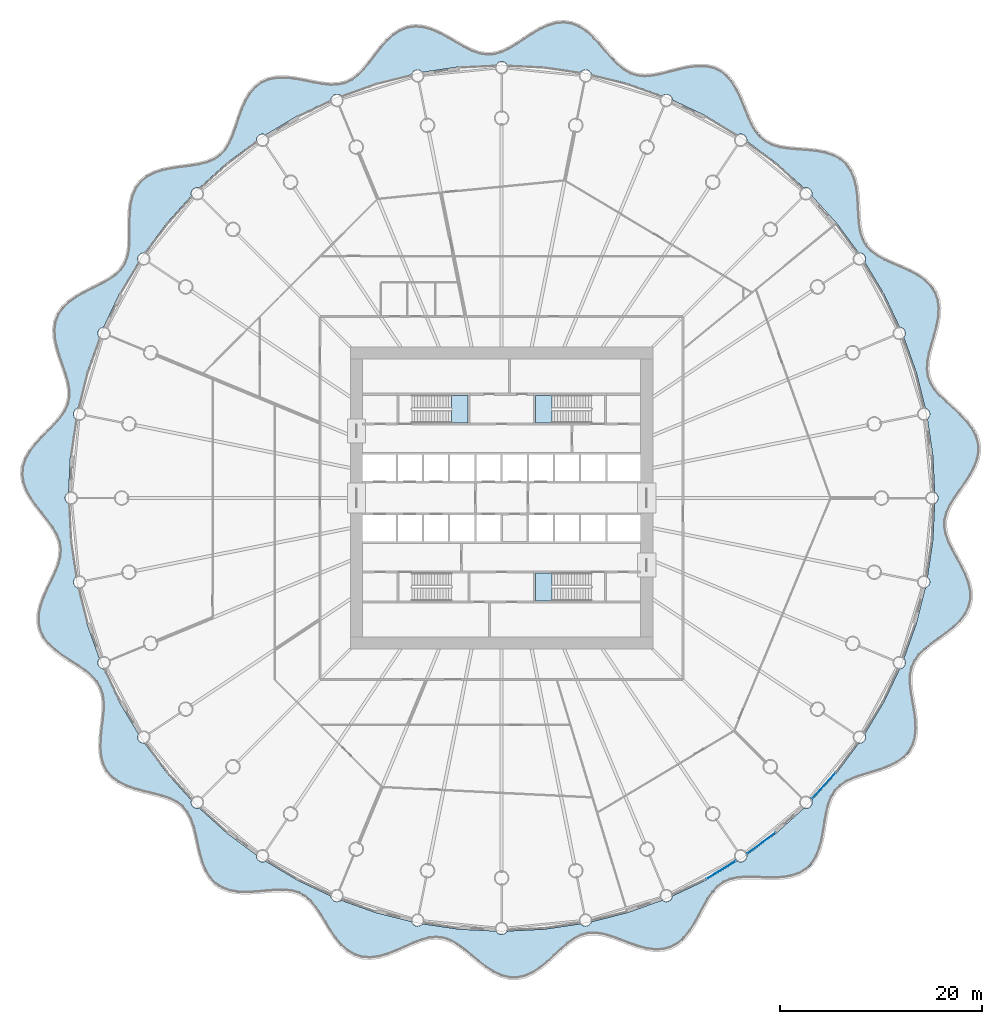
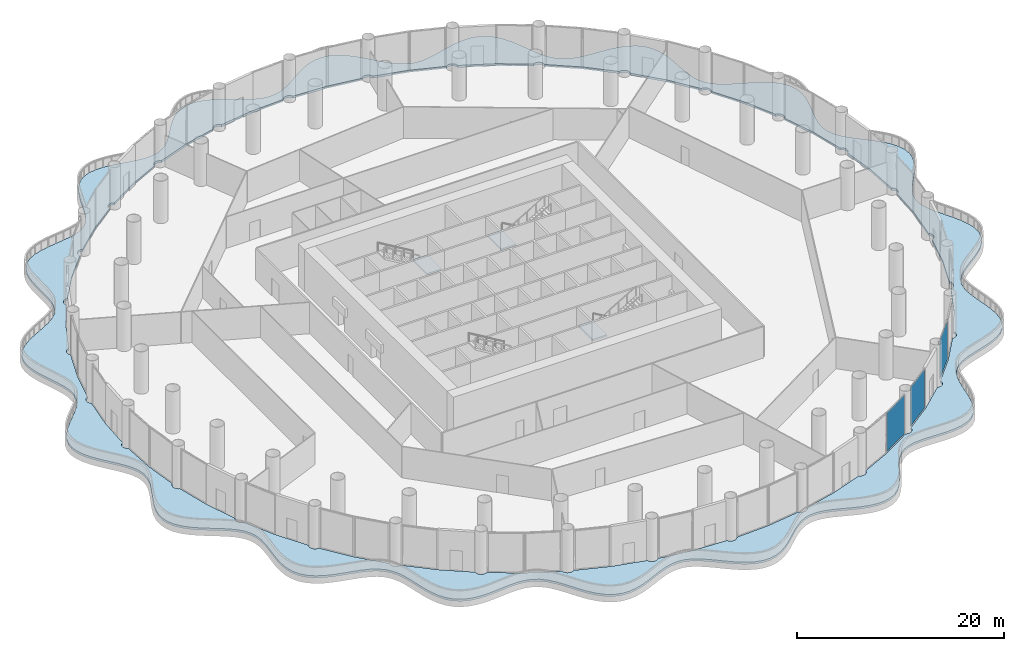
# One storey, part 20 of 35: 4 slabs, 3 plates, 6 elements without a shape of their own.
"""IFC4 building model written with IfcOpenShell, lengths in metres."""

import ifcopenshell
import ifcopenshell.guid

model = None  # the IFC model being written
_history = None  # IfcOwnerHistory: only IFC2X3 demands one
_inside = {}  # id of a spatial element -> (the spatial element, [elements in it])
_under = {}  # id of a project, library or spatial element -> (it, [spatial elements below it])
_declared = {}  # id of a project -> (the project, [libraries it declares])
_typed = {}  # id of a type object -> (the type object, [elements of that type])
_made_of = {}  # id of a material, layer set ... -> (it, [elements and type objects made of it])


def new_model(schema):
    """Start an empty IFC model of exactly this schema.

    Asked for "IFC4X3", IfcOpenShell would pick the latest addendum, in which some entities
    have other attributes; the version numbers below select the first issue.
    IFC2X3 requires an IfcOwnerHistory on every rooted entity: one is made here for all.
    """
    global model, _history
    if schema == "IFC4X3":
        model = ifcopenshell.file(schema_version=(4, 3, 0, 0))
    else:
        model = ifcopenshell.file(schema=schema)
    _inside.clear()
    _under.clear()
    _declared.clear()
    _typed.clear()
    _made_of.clear()
    _history = None
    if model.schema == "IFC2X3":
        org = make("IfcOrganization", Name="unknown")
        user = make(
            "IfcPersonAndOrganization",
            ThePerson=make("IfcPerson", FamilyName="unknown"),
            TheOrganization=org,
        )
        app = make(
            "IfcApplication",
            ApplicationDeveloper=org,
            Version="unknown",
            ApplicationFullName="unknown",
            ApplicationIdentifier="unknown",
        )
        _history = make(
            "IfcOwnerHistory",
            OwningUser=user,
            OwningApplication=app,
            ChangeAction="ADDED",
            CreationDate=0,
        )
    return model


def make(cls, **values):
    """One entity of the class cls with the attributes given. An attribute that is None is left unset."""
    return model.create_entity(
        cls, **{name: value for name, value in values.items() if value is not None}
    )


def rooted(cls, **values):
    """An entity with a GlobalId (a new one), such as an element, a storey or a relation."""
    return make(cls, GlobalId=ifcopenshell.guid.new(), OwnerHistory=_history, **values)


def si_unit(unit_type, name, prefix=None):
    """IfcSIUnit, for example si_unit("LENGTHUNIT", "METRE", prefix="MILLI")."""
    return make("IfcSIUnit", UnitType=unit_type, Prefix=prefix, Name=name)


def assignment(units):
    """IfcUnitAssignment: the units of a project."""
    return None if units is None else make("IfcUnitAssignment", Units=units)


def point(xyz):
    """IfcCartesianPoint."""
    return None if xyz is None else make("IfcCartesianPoint", Coordinates=xyz)


def direction(xyz):
    """IfcDirection."""
    return None if xyz is None else make("IfcDirection", DirectionRatios=xyz)


def frame(location, z_axis=None, x_axis=None):
    """IfcAxis2Placement3D, a coordinate frame: its origin and axes. An axis left out is left unset."""
    return make(
        "IfcAxis2Placement3D",
        Location=point(location),
        Axis=direction(z_axis),
        RefDirection=direction(x_axis),
    )


def frame_2d(location, x_axis=None):
    """IfcAxis2Placement2D, a coordinate frame in the plane: its origin and x axis."""
    return make(
        "IfcAxis2Placement2D", Location=point(location), RefDirection=direction(x_axis)
    )


def origin():
    """The frame at (0, 0, 0) with its axes left unset."""
    return frame((0.0, 0.0, 0.0))


def origin_2d():
    """The frame at (0, 0) in the plane with its x axis left unset."""
    return frame_2d((0.0, 0.0))


def place(relative_to, where):
    """IfcLocalPlacement: puts the frame where relative to a parent placement (None: the world)."""
    return make(
        "IfcLocalPlacement", PlacementRelTo=relative_to, RelativePlacement=where
    )


def context(
    kind, dimensions, precision=None, world=None, true_north=None, identifier=None
):
    """IfcGeometricRepresentationContext, for example the 3D "Model" context."""
    return make(
        "IfcGeometricRepresentationContext",
        ContextIdentifier=identifier,
        ContextType=kind,
        CoordinateSpaceDimension=dimensions,
        Precision=precision,
        WorldCoordinateSystem=world,
        TrueNorth=true_north,
    )


def subcontext(parent, identifier, kind, view, scale=None):
    """IfcGeometricRepresentationSubContext, for example "Body" below "Model"."""
    return make(
        "IfcGeometricRepresentationSubContext",
        ContextIdentifier=identifier,
        ContextType=kind,
        ParentContext=parent,
        TargetScale=scale,
        TargetView=view,
    )


def project(units=None, contexts=None):
    """IfcProject with its units and contexts."""
    return rooted(
        "IfcProject",
        Name="project",
        RepresentationContexts=contexts,
        UnitsInContext=assignment(units),
    )


def spatial(cls, under=None, at=None, **own):
    """A site, building, storey or space (cls), placed at a placement, below another one or the project."""
    s = rooted(cls, ObjectPlacement=at, **own)
    if under is not None:
        _under.setdefault(under.id(), (under, []))[1].append(s)
    return s


def polyline(points):
    """IfcPolyline through the points."""
    return make("IfcPolyline", Points=[point(p) for p in points])


def profile(cls, at=None, kind="AREA", **sizes):
    """A parametric profile (cls). Its sizes go by their IFC names, for example OverallWidth=200.0."""
    return make(cls, ProfileType=kind, Position=at, **sizes)


def rectangle(**sizes):
    """IfcRectangleProfileDef."""
    return profile("IfcRectangleProfileDef", **sizes)


def outline(outer, holes=None, kind="AREA"):
    """IfcArbitraryClosedProfileDef: a profile drawn as a closed curve; with holes, ...WithVoids."""
    if holes is None:
        return make("IfcArbitraryClosedProfileDef", ProfileType=kind, OuterCurve=outer)
    return make(
        "IfcArbitraryProfileDefWithVoids",
        ProfileType=kind,
        OuterCurve=outer,
        InnerCurves=holes,
    )


def extrude(swept, where, along, depth):
    """IfcExtrudedAreaSolid: the profile swept, set in the frame where, extruded along a direction by depth."""
    return make(
        "IfcExtrudedAreaSolid",
        SweptArea=swept,
        Position=where,
        ExtrudedDirection=direction(along),
        Depth=depth,
    )


def shape(context_of_items, identifier, shape_type, items):
    """IfcShapeRepresentation: the items that make up one representation, for example the "Body"."""
    return make(
        "IfcShapeRepresentation",
        ContextOfItems=context_of_items,
        RepresentationIdentifier=identifier,
        RepresentationType=shape_type,
        Items=items,
    )


def material(Name=None, Category=None):
    """IfcMaterial."""
    return make("IfcMaterial", Name=Name, Category=Category)


def layer(
    of_material, thickness, ventilated=None, Name=None, Category=None, Priority=None
):
    """IfcMaterialLayer: one layer of a wall or slab, of a material (None: an air gap)."""
    return make(
        "IfcMaterialLayer",
        Material=of_material,
        LayerThickness=thickness,
        IsVentilated=ventilated,
        Name=Name,
        Category=Category,
        Priority=Priority,
    )


def layer_set(layers, Name=None):
    """IfcMaterialLayerSet."""
    return make("IfcMaterialLayerSet", MaterialLayers=layers, LayerSetName=Name)


def made_of(thing, what):
    """Note that an element or type object is made of a material, layer set ...; save() writes the relation."""
    if what is not None:
        _made_of.setdefault(what.id(), (what, []))[1].append(thing)
    return thing


def type_object(cls, material=None, **own):
    """A type object (cls), such as IfcWallType, which elements share."""
    return made_of(rooted(cls, **own), material)


def element(
    cls,
    number,
    at=None,
    inside=None,
    cuts=None,
    type_object=None,
    material=None,
    context=None,
    identifier="Body",
    shape_type=None,
    held_by="IfcProductDefinitionShape",
    body=None,
    shapes=None,
    **own,
):
    """One element of the class cls, such as IfcWall. Its Tag is "e" and its number.

    at: its placement. inside: the storey or other place that contains it. cuts: it is an
    opening in that element (IfcRelVoidsElement). A single representation is given by context,
    identifier, shape_type and body (its items); several are given by shapes. held_by: the class
    of the entity that holds the representations. save() writes the other relations.
    """
    e = rooted(cls, Tag="e%d" % number, ObjectPlacement=at, **own)
    if body is not None:
        shapes = [shape(context, identifier, shape_type, body)]
    if shapes is not None:
        e.Representation = make(held_by, Representations=shapes)
    if inside is not None:
        _inside.setdefault(inside.id(), (inside, []))[1].append(e)
    if cuts is not None:
        rooted(
            "IfcRelVoidsElement", RelatingBuildingElement=cuts, RelatedOpeningElement=e
        )
    if type_object is not None:
        _typed.setdefault(type_object.id(), (type_object, []))[1].append(e)
    return made_of(e, material)


def aggregate(whole, parts):
    """IfcRelAggregates: a whole, such as a stair, and the parts it consists of."""
    return rooted("IfcRelAggregates", RelatingObject=whole, RelatedObjects=parts)


def save(model, path):
    """Write the relations noted so far, then the file.

    IfcRelAggregates (storeys below a building ...), IfcRelContainedInSpatialStructure (elements
    in a storey), IfcRelDefinesByType, IfcRelAssociatesMaterial and IfcRelDeclares: one each for
    every whole, place, type object, material and project.
    """
    for whole, parts in _under.values():
        aggregate(whole, parts)
    for where, things in _inside.values():
        rooted(
            "IfcRelContainedInSpatialStructure",
            RelatedElements=things,
            RelatingStructure=where,
        )
    for kind, things in _typed.values():
        rooted("IfcRelDefinesByType", RelatedObjects=things, RelatingType=kind)
    for what, things in _made_of.values():
        rooted("IfcRelAssociatesMaterial", RelatedObjects=things, RelatingMaterial=what)
    for by, libraries in _declared.values():
        rooted("IfcRelDeclares", RelatingContext=by, RelatedDefinitions=libraries)
    model.write(path)


model = new_model("IFC4")

# Units and contexts
model_context = context("Model", 3, precision=1e-05, world=origin(), true_north=direction((0.0, 1.0)))
body_context = subcontext(model_context, "Body", "Model", "MODEL_VIEW")
ifc_project = project(units=[si_unit("LENGTHUNIT", "METRE"), si_unit("AREAUNIT", "SQUARE_METRE"), si_unit("VOLUMEUNIT", "CUBIC_METRE"), si_unit("PLANEANGLEUNIT", "RADIAN"), si_unit("MASSUNIT", "GRAM", prefix="KILO")], contexts=[model_context])

# Site, building, storey
site_placement = place(None, origin())
site = spatial("IfcSite", under=ifc_project, at=site_placement, CompositionType="ELEMENT")
building_placement = place(site_placement, origin())
building = spatial("IfcBuilding", under=site, at=building_placement, Name="Corvane Civic Tower", CompositionType="ELEMENT")
storey_placement = place(building_placement, frame((0.0, 0.0, 27.0)))
storey = spatial("IfcBuildingStorey", under=building, at=storey_placement, Name="L05", CompositionType="ELEMENT", Elevation=27.0)

# Curtain wall, plate
ifc_material_1 = material(Name="Aluminium and glass", Category="aluminium")
curtain_wall_type = type_object("IfcCurtainWallType", Name="PODIUM-CW-P-RUN", PredefinedType="NOTDEFINED", material=ifc_material_1)
curtain_wall_1_placement = place(storey_placement, origin())
curtain_wall_1 = element("IfcCurtainWall", 1, at=curtain_wall_1_placement, inside=storey, type_object=curtain_wall_type, Name="PODI run L05-drum-12B", PredefinedType="NOTDEFINED")
ifc_material_2 = material(Name="Glass tinted low-e laminated", Category="glass")
ifc_layer_1 = layer(ifc_material_2, 0.031982421875)
ifc_layer_set_1 = layer_set([ifc_layer_1], Name="Glass tinted low-e laminated")
plate_type = type_object("IfcPlateType", Name="PODIUM-CWP-PANEL-IGU32", PredefinedType="CURTAIN_PANEL", material=ifc_layer_set_1)
plate_1_placement = place(storey_placement, frame((31.957275390625, -28.5595703125, 0.06005859375), z_axis=(0.0, 0.0, 1.0), x_axis=(-0.671576457952, -0.740935261089, 0.0)))
plate_1 = element("IfcPlate", 2, at=plate_1_placement, type_object=plate_type, Name="CW-P panel 1.1", PredefinedType="CURTAIN_PANEL", context=body_context, shape_type="SweptSolid", body=[
    extrude(rectangle(XDim=3.4599609375, YDim=0.031982421875, at=origin_2d()), origin(), (0.0, 0.0, 1.0), 4.580078125),
])
aggregate(curtain_wall_1, [plate_1])

curtain_wall_2_placement = place(storey_placement, origin())
curtain_wall_2 = element("IfcCurtainWall", 3, at=curtain_wall_2_placement, inside=storey, type_object=curtain_wall_type, Name="PODI run L05-drum-13B", PredefinedType="NOTDEFINED")
plate_2_placement = place(storey_placement, frame((25.771484375, -34.245361328125, 0.06005859375), z_axis=(0.0, 0.0, 1.0), x_axis=(-0.803203229747, -0.595705104665, 0.0)))
plate_2 = element("IfcPlate", 4, at=plate_2_placement, type_object=plate_type, Name="CW-P panel 1.1", PredefinedType="CURTAIN_PANEL", context=body_context, shape_type="SweptSolid", body=[
    extrude(rectangle(XDim=3.459716796875, YDim=0.031982421875, at=origin_2d()), origin(), (0.0, 0.0, 1.0), 4.580078125),
])
aggregate(curtain_wall_2, [plate_2])

curtain_wall_3_placement = place(storey_placement, origin())
curtain_wall_3 = element("IfcCurtainWall", 5, at=curtain_wall_3_placement, inside=storey, type_object=curtain_wall_type, Name="PODI run L05-drum-14A", PredefinedType="NOTDEFINED")
plate_3_placement = place(storey_placement, frame((21.776123046875, -36.914794921875, 0.06005859375), z_axis=(0.0, 0.0, 1.0), x_axis=(-0.857719609779, -0.514117759857, 0.0)))
plate_3 = element("IfcPlate", 6, at=plate_3_placement, type_object=plate_type, Name="CW-P panel 1.1", PredefinedType="CURTAIN_PANEL", context=body_context, shape_type="SweptSolid", body=[
    extrude(rectangle(XDim=3.459716796875, YDim=0.031982421875, at=origin_2d()), origin(), (0.0, 0.0, 1.0), 4.580078125),
])
aggregate(curtain_wall_3, [plate_3])

# Slab
ifc_material_3 = material(Name="Concrete C40/50", Category="concrete")
ifc_layer_2 = layer(ifc_material_3, 0.25)
ifc_layer_set_2 = layer_set([ifc_layer_2], Name="Concrete C40/50")
slab_type_1 = type_object("IfcSlabType", Name="PODIUM-SL-RIBBON-250", PredefinedType="FLOOR", material=ifc_layer_set_2)
slab_1_placement = place(storey_placement, frame((0.0, 0.0, -0.25)))
element("IfcSlab", 7, at=slab_1_placement, inside=storey, type_object=slab_type_1, Name="L05 ribbon balcony slab", PredefinedType="FLOOR", context=body_context, shape_type="SweptSolid", body=[
    extrude(outline(polyline([(0.731201171875, 44.685302734375), (0.0, 44.341064453125), (-0.72216796875, 44.134765625), (-1.443115234375, 44.0849609375), (-2.171142578125, 44.1953125), (-2.91357421875, 44.451416015625), (-3.67529296875, 44.82421875), (-4.458984375, 45.272216796875), (-5.2626953125, 45.745361328125), (-6.0810546875, 46.190185546875), (-6.90576171875, 46.55517578125), (-7.725830078125, 46.795166015625), (-8.529541015625, 46.87646484375), (-9.30517578125, 46.77978515625), (-10.04345703125, 46.501708984375), (-10.73876953125, 46.055908203125), (-11.389892578125, 45.470703125), (-12.00048828125, 44.785888671875), (-12.579345703125, 44.05078125), (-13.139892578125, 43.31689453125), (-13.69873046875, 42.63427734375), (-14.27294921875, 42.046875), (-14.880126953125, 41.587158203125), (-15.53466796875, 41.2744140625), (-16.24609375, 41.111572265625), (-17.018798828125, 41.086669921875), (-17.84912109375, 41.173095703125), (-18.7275390625, 41.332763671875), (-19.637451171875, 41.519775390625), (-20.556884765625, 41.685302734375), (-21.4619140625, 41.782470703125), (-22.326904296875, 41.7705078125), (-23.12890625, 41.61865234375), (-23.85009765625, 41.309326171875), (-24.478271484375, 40.839599609375), (-25.010986328125, 40.220947265625), (-25.453857421875, 39.477783203125), (-25.822021484375, 38.6455078125), (-26.138427734375, 37.766357421875), (-26.431396484375, 36.885009765625), (-26.732421875, 36.04443359375), (-27.07275390625, 35.281982421875), (-27.480712890625, 34.625244140625), (-27.977294921875, 34.090576171875), (-28.575439453125, 33.68017578125), (-29.277099609375, 33.38427734375), (-30.072998046875, 33.180419921875), (-30.943359375, 33.0380859375), (-31.859375, 32.91943359375), (-32.78564453125, 32.78564453125), (-33.683837890625, 32.59912109375), (-34.516357421875, 32.328125), (-35.25, 31.94873046875), (-35.85986328125, 31.4482421875), (-36.331298828125, 30.824951171875), (-36.662841796875, 30.08837890625), (-36.864990234375, 29.258056640625), (-36.96142578125, 28.361572265625), (-36.9853515625, 27.43017578125), (-36.9775390625, 26.49755859375), (-36.981201171875, 25.594970703125), (-37.039306640625, 24.748779296875), (-37.1884765625, 23.977783203125), (-37.457275390625, 23.29248046875), (-37.860595703125, 22.69287109375), (-38.400634765625, 22.170654296875), (-39.064208984375, 21.709228515625), (-39.824951171875, 21.286865234375), (-40.645751953125, 20.8779296875), (-41.4814453125, 20.456298828125), (-42.283447265625, 19.99853515625), (-43.00537109375, 19.4853515625), (-43.60595703125, 18.90380859375), (-44.054931640625, 18.248046875), (-44.334716796875, 17.519775390625), (-44.44384765625, 16.7275390625), (-44.3955078125, 15.885009765625), (-44.218017578125, 15.010009765625), (-43.951171875, 14.121826171875), (-43.64306640625, 13.239013671875), (-43.344970703125, 12.377685546875), (-43.106689453125, 11.55029296875), (-42.97119140625, 10.763671875), (-42.971435546875, 10.01953125), (-43.125, 9.314208984375), (-43.434814453125, 8.6396484375), (-43.885986328125, 7.9853515625), (-44.44970703125, 7.338623046875), (-45.08447265625, 6.687744140625), (-45.740234375, 6.021728515625), (-46.36376953125, 5.333740234375), (-46.903564453125, 4.61962890625), (-47.314697265625, 3.879638671875), (-47.5634765625, 3.117431640625), (-47.630859375, 2.33984375), (-47.51416015625, 1.555419921875), (-47.227294921875, 0.772705078125), (-46.800048828125, 0.0), (-46.27392578125, -0.75732421875), (-45.698974609375, -1.49609375), (-45.129638671875, -2.217041015625), (-44.617431640625, -2.92431640625), (-44.207763671875, -3.624755859375), (-43.934326171875, -4.3271484375), (-43.817138671875, -5.040771484375), (-43.858642578125, -5.774169921875), (-44.04541015625, -6.533447265625), (-44.34912109375, -7.322021484375), (-44.728271484375, -8.138671875), (-45.133544921875, -8.9775390625), (-45.51220703125, -9.82958984375), (-45.81298828125, -10.68212890625), (-45.991943359375, -11.520263671875), (-46.015380859375, -12.329833984375), (-45.864501953125, -13.09716796875), (-45.53564453125, -13.81298828125), (-45.0419921875, -14.47216796875), (-44.4111328125, -15.075439453125), (-43.68212890625, -15.629638671875), (-42.903076171875, -16.1474609375), (-42.123779296875, -16.646240234375), (-41.393798828125, -17.145751953125), (-40.755126953125, -17.66796875), (-40.23974609375, -18.232421875), (-39.8662109375, -18.855224609375), (-39.6376953125, -19.547119140625), (-39.542724609375, -20.311279296875), (-39.555419921875, -21.142822265625), (-39.639404296875, -22.029052734375), (-39.75048828125, -22.949951171875), (-39.842041015625, -23.88037109375), (-39.86865234375, -24.7919921875), (-39.791748046875, -25.65625), (-39.581787109375, -26.447509765625), (-39.221923828125, -27.14599609375), (-38.709716796875, -27.739013671875), (-38.05615234375, -28.224365234375), (-37.2841796875, -28.609130859375), (-36.427734375, -28.9111328125), (-35.526611328125, -29.156005859375), (-34.623046875, -29.37548828125), (-33.757568359375, -29.6044921875), (-32.965087890625, -29.877685546875), (-32.271240234375, -30.225341796875), (-31.69091796875, -30.67041015625), (-31.226806640625, -31.226806640625), (-30.86865234375, -31.895751953125), (-30.59619140625, -32.667236328125), (-30.38037109375, -33.51953125), (-30.186279296875, -34.4208984375), (-29.978271484375, -35.33349609375), (-29.7216796875, -36.216064453125), (-29.387451171875, -37.028076171875), (-28.95458984375, -37.734130859375), (-28.411376953125, -38.30810546875), (-27.7568359375, -38.734619140625), (-27.000244140625, -39.01171875), (-26.16015625, -39.1513671875), (-25.2607421875, -39.17822265625), (-24.33154296875, -39.128173828125), (-23.40185546875, -39.043701171875), (-22.5, -38.97119140625), (-21.648681640625, -38.955078125), (-20.8642578125, -39.0341796875), (-20.15478515625, -39.238037109375), (-19.520263671875, -39.5830078125), (-18.9521484375, -40.07080078125), (-18.435546875, -40.687744140625), (-17.950439453125, -41.406982421875), (-17.475341796875, -42.18896484375), (-16.9873046875, -42.987548828125), (-16.46728515625, -43.752197265625), (-15.89892578125, -44.434814453125), (-15.27294921875, -44.99267578125), (-14.585693359375, -45.394775390625), (-13.839599609375, -45.623046875), (-13.043212890625, -45.67529296875), (-12.209228515625, -45.5654296875), (-11.3525390625, -45.322265625), (-10.489501953125, -44.986572265625), (-9.63427734375, -44.607421875), (-8.79931640625, -44.2373046875), (-7.99267578125, -43.927001953125), (-7.21826171875, -43.720703125), (-6.47509765625, -43.6513671875), (-5.75830078125, -43.738037109375), (-5.059814453125, -43.982666015625), (-4.3701171875, -44.37158203125), (-3.679443359375, -44.875), (-2.97900390625, -45.451416015625), (-2.26220703125, -46.05029296875), (-1.526123046875, -46.617919921875), (-0.770751953125, -47.1025390625), (0.0, -47.458740234375), (0.77978515625, -47.653076171875), (1.560302734375, -47.665771484375), (2.333251953125, -47.494140625), (3.090576171875, -47.152099609375), (3.82666015625, -46.668701171875), (4.5390625, -46.085693359375), (5.22900390625, -45.453125), (5.901123046875, -44.824462890625), (6.56396484375, -44.251220703125), (7.22802734375, -43.77880859375), (7.904296875, -43.440673828125), (8.604248046875, -43.25634765625), (9.336669921875, -43.229248046875), (10.10693359375, -43.345947265625), (10.915771484375, -43.578369140625), (11.75927734375, -43.885986328125), (12.6279296875, -44.220703125), (13.508056640625, -44.5302734375), (14.38330078125, -44.76513671875), (15.235107421875, -44.88134765625), (16.04638671875, -44.846435546875), (16.802001953125, -44.641845703125), (17.491943359375, -44.263916015625), (18.111572265625, -43.725341796875), (18.6640625, -43.052978515625), (19.158935546875, -42.28466796875), (19.6123046875, -41.466552734375), (20.045166015625, -40.6474609375), (20.48193359375, -39.875), (20.947509765625, -39.18994140625), (21.464111328125, -38.622802734375), (22.050048828125, -38.191650390625), (22.71630859375, -37.89990234375), (23.465576171875, -37.73583984375), (24.291748046875, -37.67529296875), (25.17919921875, -37.683349609375), (26.10498046875, -37.7177734375), (27.0400390625, -37.734375), (27.952880859375, -37.68994140625), (28.8115234375, -37.5478515625), (29.587890625, -37.2802734375), (30.260009765625, -36.871826171875), (30.81494140625, -36.31982421875), (31.250732421875, -35.634765625), (31.575927734375, -34.8388671875), (31.810302734375, -33.963623046875), (31.982177734375, -33.04638671875), (32.126708984375, -32.126708984375), (32.281982421875, -31.242431640625), (32.485107421875, -30.42578125), (32.769287109375, -29.700439453125), (33.158935546875, -29.07958984375), (33.668701171875, -28.565673828125), (34.299560546875, -28.14892578125), (35.040771484375, -27.810302734375), (35.868408203125, -27.522705078125), (36.7490234375, -27.2548828125), (37.641845703125, -26.973876953125), (38.5029296875, -26.6484375), (39.289794921875, -26.25244140625), (39.964599609375, -25.767822265625), (40.49951171875, -25.184326171875), (40.87890625, -24.501953125), (41.1005859375, -23.7294921875), (41.17724609375, -22.8837890625), (41.13525390625, -21.9873046875), (41.01171875, -21.06591796875), (40.8515625, -20.145751953125), (40.70263671875, -19.2509765625), (40.612060546875, -18.401123046875), (40.6201171875, -17.609375), (40.75732421875, -16.88232421875), (41.040771484375, -16.218017578125), (41.472412109375, -15.609130859375), (42.038330078125, -15.04150390625), (42.710205078125, -14.498046875), (43.4482421875, -13.960205078125), (44.2041015625, -13.4091796875), (44.926513671875, -12.829345703125), (45.5654296875, -12.209228515625), (46.07763671875, -11.541748046875), (46.430419921875, -10.826171875), (46.60595703125, -10.06591796875), (46.601318359375, -9.26953125), (46.43115234375, -8.448486328125), (46.1240234375, -7.615234375), (45.721923828125, -6.7822265625), (45.2744140625, -5.96044921875), (44.834716796875, -5.15771484375), (44.454345703125, -4.37841796875), (44.178466796875, -3.622314453125), (44.0400390625, -2.886474609375), (44.05859375, -2.16455078125), (44.23681640625, -1.4482421875), (44.560302734375, -0.729248046875), (45.0, 0.0), (45.513916015625, 0.744873046875), (46.0517578125, 1.507568359375), (46.559814453125, 2.287353515625), (46.986083984375, 3.07958984375), (47.28515625, 3.877197265625), (47.423583984375, 4.6708984375), (47.381591796875, 5.45068359375), (47.156005859375, 6.208251953125), (46.760986328125, 6.936279296875), (46.224853515625, 7.6318359375), (45.5888671875, 8.295166015625), (44.902587890625, 8.931640625), (44.218994140625, 9.55029296875), (43.5888671875, 10.16357421875), (43.056884765625, 10.78515625), (42.656494140625, 11.4296875), (42.406982421875, 12.10986328125), (42.3115234375, 12.8349609375), (42.357421875, 13.609619140625), (42.51708984375, 14.4326171875), (42.75146484375, 15.296630859375), (43.01318359375, 16.18896484375), (43.251708984375, 17.091796875), (43.41845703125, 17.984619140625), (43.470947265625, 18.845458984375), (43.377685546875, 19.654052734375), (43.1201171875, 20.394287109375), (42.695068359375, 21.054931640625), (42.11474609375, 21.632568359375), (41.40478515625, 22.13134765625), (40.60205078125, 22.56396484375), (39.75048828125, 22.949951171875), (38.8974609375, 23.314208984375), (38.088134765625, 23.6845703125), (37.361572265625, 24.08935546875), (36.747314453125, 24.5537109375), (36.26220703125, 25.097412109375), (35.909423828125, 25.732421875), (35.678466796875, 26.4609375), (35.545654296875, 27.275146484375), (35.477783203125, 28.1572265625), (35.435546875, 29.081298828125), (35.376953125, 30.01513671875), (35.26123046875, 30.92333984375), (35.054443359375, 31.771484375), (34.730224609375, 32.528564453125), (34.27490234375, 33.171142578125), (33.685546875, 33.685546875), (32.972900390625, 34.070068359375), (32.157470703125, 34.334228515625), (31.268798828125, 34.499755859375), (30.341552734375, 34.597900390625), (29.412353515625, 34.66650390625), (28.515625, 34.746337890625), (27.680908203125, 34.877685546875), (26.9296875, 35.095703125), (26.27392578125, 35.42626953125), (25.714599609375, 35.884765625), (25.2431640625, 36.47265625), (24.84130859375, 37.177734375), (24.48486328125, 37.974853515625), (24.145263671875, 38.82861328125), (23.792724609375, 39.69580078125), (23.39990234375, 40.530029296875), (22.9443359375, 41.28662109375), (22.409912109375, 41.926025390625), (21.788818359375, 42.41943359375), (21.081787109375, 42.749755859375), (20.29736328125, 42.91552734375), (19.451171875, 42.929443359375), (18.562744140625, 42.819091796875), (17.655029296875, 42.623046875), (16.75048828125, 42.38818359375), (15.869384765625, 42.1640625), (15.027587890625, 41.9990234375), (14.235107421875, 41.935302734375), (13.496337890625, 42.00439453125), (12.80859375, 42.22412109375), (12.1640625, 42.59619140625), (11.55029296875, 43.106689453125), (10.952880859375, 43.7265625), (10.356201171875, 44.415283203125), (9.745849609375, 45.123779296875), (9.10986328125, 45.798828125), (8.44091796875, 46.39013671875), (7.735595703125, 46.853271484375), (6.994873046875, 47.155029296875), (6.22412109375, 47.276611328125), (5.431640625, 47.2158203125), (4.627685546875, 46.986328125), (3.822509765625, 46.617919921875), (3.02490234375, 46.152099609375), (2.2421875, 45.63916015625), (1.4775390625, 45.133056640625), (0.731201171875, 44.685302734375)]), holes=[polyline([(0.31005859375, -43.23681640625), (0.160400390625, -43.298828125), (0.0, -43.320068359375), (-0.160400390625, -43.298828125), (-0.31005859375, -43.23681640625), (-0.4384765625, -43.138427734375), (-0.536865234375, -43.010009765625), (-0.55224609375, -42.972900390625), (-4.21484375, -42.79296875), (-7.84326171875, -42.2548828125), (-7.891845703125, -42.318115234375), (-8.020263671875, -42.41650390625), (-8.169921875, -42.478515625), (-8.330322265625, -42.49951171875), (-8.49072265625, -42.478515625), (-8.640380859375, -42.41650390625), (-8.768798828125, -42.318115234375), (-8.8671875, -42.189697265625), (-8.92919921875, -42.0400390625), (-8.929443359375, -42.038330078125), (-12.482177734375, -41.1484375), (-15.934814453125, -39.9130859375), (-16.030517578125, -39.986572265625), (-16.18017578125, -40.048583984375), (-16.340576171875, -40.069580078125), (-16.5009765625, -40.048583984375), (-16.650634765625, -39.986572265625), (-16.779052734375, -39.88818359375), (-16.87744140625, -39.759765625), (-16.939453125, -39.610107421875), (-16.955078125, -39.490478515625), (-20.27001953125, -37.922607421875), (-23.41162109375, -36.03955078125), (-23.412841796875, -36.04052734375), (-23.5625, -36.1025390625), (-23.722900390625, -36.123779296875), (-23.88330078125, -36.1025390625), (-24.032958984375, -36.04052734375), (-24.161376953125, -35.942138671875), (-24.259765625, -35.813720703125), (-24.32177734375, -35.6640625), (-24.343017578125, -35.503662109375), (-24.33251953125, -35.424560546875), (-27.27880859375, -33.239501953125), (-29.995849609375, -30.77685546875), (-30.032958984375, -30.792236328125), (-30.193359375, -30.8134765625), (-30.353759765625, -30.792236328125), (-30.50341796875, -30.730224609375), (-30.6318359375, -30.6318359375), (-30.730224609375, -30.50341796875), (-30.792236328125, -30.353759765625), (-30.8134765625, -30.193359375), (-30.792236328125, -30.032958984375), (-30.77685546875, -29.995849609375), (-33.239501953125, -27.27880859375), (-35.424560546875, -24.33251953125), (-35.503662109375, -24.343017578125), (-35.6640625, -24.32177734375), (-35.813720703125, -24.259765625), (-35.942138671875, -24.161376953125), (-36.04052734375, -24.032958984375), (-36.1025390625, -23.88330078125), (-36.123779296875, -23.722900390625), (-36.1025390625, -23.5625), (-36.04052734375, -23.412841796875), (-36.03955078125, -23.41162109375), (-37.922607421875, -20.27001953125), (-39.490478515625, -16.955078125), (-39.610107421875, -16.939453125), (-39.759765625, -16.87744140625), (-39.88818359375, -16.779052734375), (-39.986572265625, -16.650634765625), (-40.048583984375, -16.5009765625), (-40.069580078125, -16.340576171875), (-40.048583984375, -16.18017578125), (-39.986572265625, -16.030517578125), (-39.9130859375, -15.934814453125), (-41.1484375, -12.482177734375), (-42.038330078125, -8.929443359375), (-42.0400390625, -8.92919921875), (-42.189697265625, -8.8671875), (-42.318115234375, -8.768798828125), (-42.41650390625, -8.640380859375), (-42.478515625, -8.49072265625), (-42.49951171875, -8.330322265625), (-42.478515625, -8.169921875), (-42.41650390625, -8.020263671875), (-42.318115234375, -7.891845703125), (-42.2548828125, -7.84326171875), (-42.79296875, -4.21484375), (-42.972900390625, -0.55224609375), (-43.010009765625, -0.536865234375), (-43.138427734375, -0.4384765625), (-43.23681640625, -0.31005859375), (-43.298828125, -0.160400390625), (-43.320068359375, 0.0), (-43.298828125, 0.160400390625), (-43.23681640625, 0.31005859375), (-43.138427734375, 0.4384765625), (-43.010009765625, 0.536865234375), (-42.972900390625, 0.55224609375), (-42.79296875, 4.21484375), (-42.2548828125, 7.84326171875), (-42.318115234375, 7.891845703125), (-42.41650390625, 8.020263671875), (-42.478515625, 8.169921875), (-42.49951171875, 8.330322265625), (-42.478515625, 8.49072265625), (-42.41650390625, 8.640380859375), (-42.318115234375, 8.768798828125), (-42.189697265625, 8.8671875), (-42.0400390625, 8.92919921875), (-42.038330078125, 8.929443359375), (-41.1484375, 12.482177734375), (-39.9130859375, 15.934814453125), (-39.986572265625, 16.030517578125), (-40.048583984375, 16.18017578125), (-40.069580078125, 16.340576171875), (-40.048583984375, 16.5009765625), (-39.986572265625, 16.650634765625), (-39.88818359375, 16.779052734375), (-39.759765625, 16.87744140625), (-39.610107421875, 16.939453125), (-39.490478515625, 16.955078125), (-37.922607421875, 20.27001953125), (-36.03955078125, 23.41162109375), (-36.04052734375, 23.412841796875), (-36.1025390625, 23.5625), (-36.123779296875, 23.722900390625), (-36.1025390625, 23.88330078125), (-36.04052734375, 24.032958984375), (-35.942138671875, 24.161376953125), (-35.813720703125, 24.259765625), (-35.6640625, 24.32177734375), (-35.503662109375, 24.343017578125), (-35.424560546875, 24.33251953125), (-33.239501953125, 27.27880859375), (-30.77685546875, 29.995849609375), (-30.792236328125, 30.032958984375), (-30.8134765625, 30.193359375), (-30.792236328125, 30.353759765625), (-30.730224609375, 30.50341796875), (-30.6318359375, 30.6318359375), (-30.50341796875, 30.730224609375), (-30.353759765625, 30.792236328125), (-30.193359375, 30.8134765625), (-30.032958984375, 30.792236328125), (-29.995849609375, 30.77685546875), (-27.27880859375, 33.239501953125), (-24.33251953125, 35.424560546875), (-24.343017578125, 35.503662109375), (-24.32177734375, 35.6640625), (-24.259765625, 35.813720703125), (-24.161376953125, 35.942138671875), (-24.032958984375, 36.04052734375), (-23.88330078125, 36.1025390625), (-23.722900390625, 36.123779296875), (-23.5625, 36.1025390625), (-23.412841796875, 36.04052734375), (-23.41162109375, 36.03955078125), (-20.27001953125, 37.922607421875), (-16.955078125, 39.490478515625), (-16.939453125, 39.610107421875), (-16.87744140625, 39.759765625), (-16.779052734375, 39.88818359375), (-16.650634765625, 39.986572265625), (-16.5009765625, 40.048583984375), (-16.340576171875, 40.069580078125), (-16.18017578125, 40.048583984375), (-16.030517578125, 39.986572265625), (-15.934814453125, 39.9130859375), (-12.482177734375, 41.1484375), (-8.929443359375, 42.038330078125), (-8.92919921875, 42.0400390625), (-8.8671875, 42.189697265625), (-8.768798828125, 42.318115234375), (-8.640380859375, 42.41650390625), (-8.49072265625, 42.478515625), (-8.330322265625, 42.49951171875), (-8.169921875, 42.478515625), (-8.020263671875, 42.41650390625), (-7.891845703125, 42.318115234375), (-7.84326171875, 42.2548828125), (-4.21484375, 42.79296875), (-0.55224609375, 42.972900390625), (-0.536865234375, 43.010009765625), (-0.4384765625, 43.138427734375), (-0.31005859375, 43.23681640625), (-0.160400390625, 43.298828125), (0.0, 43.320068359375), (0.160400390625, 43.298828125), (0.31005859375, 43.23681640625), (0.4384765625, 43.138427734375), (0.536865234375, 43.010009765625), (0.55224609375, 42.972900390625), (4.21484375, 42.79296875), (7.84326171875, 42.2548828125), (7.891845703125, 42.318115234375), (8.020263671875, 42.41650390625), (8.169921875, 42.478515625), (8.330322265625, 42.49951171875), (8.49072265625, 42.478515625), (8.640380859375, 42.41650390625), (8.768798828125, 42.318115234375), (8.8671875, 42.189697265625), (8.92919921875, 42.0400390625), (8.929443359375, 42.038330078125), (12.482177734375, 41.1484375), (15.934814453125, 39.9130859375), (16.030517578125, 39.986572265625), (16.18017578125, 40.048583984375), (16.340576171875, 40.069580078125), (16.5009765625, 40.048583984375), (16.650634765625, 39.986572265625), (16.779052734375, 39.88818359375), (16.87744140625, 39.759765625), (16.939453125, 39.610107421875), (16.955078125, 39.490478515625), (20.27001953125, 37.922607421875), (23.41162109375, 36.03955078125), (23.412841796875, 36.04052734375), (23.5625, 36.1025390625), (23.722900390625, 36.123779296875), (23.88330078125, 36.1025390625), (24.032958984375, 36.04052734375), (24.161376953125, 35.942138671875), (24.259765625, 35.813720703125), (24.32177734375, 35.6640625), (24.343017578125, 35.503662109375), (24.33251953125, 35.424560546875), (27.27880859375, 33.239501953125), (29.995849609375, 30.77685546875), (30.032958984375, 30.792236328125), (30.193359375, 30.8134765625), (30.353759765625, 30.792236328125), (30.50341796875, 30.730224609375), (30.6318359375, 30.6318359375), (30.730224609375, 30.50341796875), (30.792236328125, 30.353759765625), (30.8134765625, 30.193359375), (30.792236328125, 30.032958984375), (30.77685546875, 29.995849609375), (33.239501953125, 27.27880859375), (35.424560546875, 24.33251953125), (35.503662109375, 24.343017578125), (35.6640625, 24.32177734375), (35.813720703125, 24.259765625), (35.942138671875, 24.161376953125), (36.04052734375, 24.032958984375), (36.1025390625, 23.88330078125), (36.123779296875, 23.722900390625), (36.1025390625, 23.5625), (36.04052734375, 23.412841796875), (36.03955078125, 23.41162109375), (37.922607421875, 20.27001953125), (39.490478515625, 16.955078125), (39.610107421875, 16.939453125), (39.759765625, 16.87744140625), (39.88818359375, 16.779052734375), (39.986572265625, 16.650634765625), (40.048583984375, 16.5009765625), (40.069580078125, 16.340576171875), (40.048583984375, 16.18017578125), (39.986572265625, 16.030517578125), (39.9130859375, 15.934814453125), (41.1484375, 12.482177734375), (42.038330078125, 8.929443359375), (42.0400390625, 8.92919921875), (42.189697265625, 8.8671875), (42.318115234375, 8.768798828125), (42.41650390625, 8.640380859375), (42.478515625, 8.49072265625), (42.49951171875, 8.330322265625), (42.478515625, 8.169921875), (42.41650390625, 8.020263671875), (42.318115234375, 7.891845703125), (42.2548828125, 7.84326171875), (42.79296875, 4.21484375), (42.972900390625, 0.55224609375), (43.010009765625, 0.536865234375), (43.138427734375, 0.4384765625), (43.23681640625, 0.31005859375), (43.298828125, 0.160400390625), (43.320068359375, 0.0), (43.298828125, -0.160400390625), (43.23681640625, -0.31005859375), (43.138427734375, -0.4384765625), (43.010009765625, -0.536865234375), (42.972900390625, -0.55224609375), (42.79296875, -4.21484375), (42.2548828125, -7.84326171875), (42.318115234375, -7.891845703125), (42.41650390625, -8.020263671875), (42.478515625, -8.169921875), (42.49951171875, -8.330322265625), (42.478515625, -8.49072265625), (42.41650390625, -8.640380859375), (42.318115234375, -8.768798828125), (42.189697265625, -8.8671875), (42.0400390625, -8.92919921875), (42.038330078125, -8.929443359375), (41.1484375, -12.482177734375), (39.9130859375, -15.934814453125), (39.986572265625, -16.030517578125), (40.048583984375, -16.18017578125), (40.069580078125, -16.340576171875), (40.048583984375, -16.5009765625), (39.986572265625, -16.650634765625), (39.88818359375, -16.779052734375), (39.759765625, -16.87744140625), (39.610107421875, -16.939453125), (39.490478515625, -16.955078125), (37.922607421875, -20.27001953125), (36.03955078125, -23.41162109375), (36.04052734375, -23.412841796875), (36.1025390625, -23.5625), (36.123779296875, -23.722900390625), (36.1025390625, -23.88330078125), (36.04052734375, -24.032958984375), (35.942138671875, -24.161376953125), (35.813720703125, -24.259765625), (35.6640625, -24.32177734375), (35.503662109375, -24.343017578125), (35.424560546875, -24.33251953125), (33.239501953125, -27.27880859375), (30.77685546875, -29.995849609375), (30.792236328125, -30.032958984375), (30.8134765625, -30.193359375), (30.792236328125, -30.353759765625), (30.730224609375, -30.50341796875), (30.6318359375, -30.6318359375), (30.50341796875, -30.730224609375), (30.353759765625, -30.792236328125), (30.193359375, -30.8134765625), (30.032958984375, -30.792236328125), (29.995849609375, -30.77685546875), (27.27880859375, -33.239501953125), (24.33251953125, -35.424560546875), (24.343017578125, -35.503662109375), (24.32177734375, -35.6640625), (24.259765625, -35.813720703125), (24.161376953125, -35.942138671875), (24.032958984375, -36.04052734375), (23.88330078125, -36.1025390625), (23.722900390625, -36.123779296875), (23.5625, -36.1025390625), (23.412841796875, -36.04052734375), (23.41162109375, -36.03955078125), (20.27001953125, -37.922607421875), (16.955078125, -39.490478515625), (16.939453125, -39.610107421875), (16.87744140625, -39.759765625), (16.779052734375, -39.88818359375), (16.650634765625, -39.986572265625), (16.5009765625, -40.048583984375), (16.340576171875, -40.069580078125), (16.18017578125, -40.048583984375), (16.030517578125, -39.986572265625), (15.934814453125, -39.9130859375), (12.482177734375, -41.1484375), (8.929443359375, -42.038330078125), (8.92919921875, -42.0400390625), (8.8671875, -42.189697265625), (8.768798828125, -42.318115234375), (8.640380859375, -42.41650390625), (8.49072265625, -42.478515625), (8.330322265625, -42.49951171875), (8.169921875, -42.478515625), (8.020263671875, -42.41650390625), (7.891845703125, -42.318115234375), (7.84326171875, -42.2548828125), (4.21484375, -42.79296875), (0.55224609375, -42.972900390625), (0.536865234375, -43.010009765625), (0.4384765625, -43.138427734375), (0.31005859375, -43.23681640625)])]), origin(), (0.0, 0.0, 1.0), 0.25),
])

# Stair, slab
ifc_material_4 = material(Name="Concrete C40/50", Category="concrete")
stair_type = type_object("IfcStairType", Name="ST-STAIR-HALFTURN", PredefinedType="HALF_TURN_STAIR", material=ifc_material_4)
stair_1_placement = place(storey_placement, origin())
stair_1 = element("IfcStair", 8, at=stair_1_placement, inside=storey, type_object=stair_type, Name="L05 Exit stair ST1", PredefinedType="HALF_TURN_STAIR")
ifc_material_5 = material(Name="Concrete C40/50", Category="concrete")
ifc_layer_3 = layer(ifc_material_5, 0.199951171875)
ifc_layer_set_3 = layer_set([ifc_layer_3], Name="Concrete C40/50")
slab_type_2 = type_object("IfcSlabType", Name="ST-LANDING-RC", PredefinedType="LANDING", material=ifc_layer_set_3)
slab_2_placement = place(storey_placement, frame((0.0, 0.0, 2.300048828125)))
slab_2 = element("IfcSlab", 9, at=slab_2_placement, type_object=slab_type_2, Name="ST1 landing 1", PredefinedType="LANDING", context=body_context, shape_type="SweptSolid", body=[
    extrude(outline(polyline([(4.97998046875, 10.199951171875), (3.35009765625, 10.199951171875), (3.35009765625, 7.449951171875), (4.97998046875, 7.449951171875), (4.97998046875, 10.199951171875)])), origin(), (0.0, 0.0, 1.0), 0.199951171875),
])
aggregate(stair_1, [slab_2])

stair_2_placement = place(storey_placement, origin())
stair_2 = element("IfcStair", 10, at=stair_2_placement, inside=storey, type_object=stair_type, Name="L05 Exit stair ST2", PredefinedType="HALF_TURN_STAIR")
slab_3_placement = place(storey_placement, frame((0.0, 0.0, 2.300048828125)))
slab_3 = element("IfcSlab", 11, at=slab_3_placement, type_object=slab_type_2, Name="ST2 landing 1", PredefinedType="LANDING", context=body_context, shape_type="SweptSolid", body=[
    extrude(outline(polyline([(4.97998046875, -7.449951171875), (3.35009765625, -7.449951171875), (3.35009765625, -10.199951171875), (4.97998046875, -10.199951171875), (4.97998046875, -7.449951171875)])), origin(), (0.0, 0.0, 1.0), 0.199951171875),
])
aggregate(stair_2, [slab_3])

stair_3_placement = place(storey_placement, origin())
stair_3 = element("IfcStair", 12, at=stair_3_placement, inside=storey, type_object=stair_type, Name="L05 Exit stair ST4", PredefinedType="HALF_TURN_STAIR")
slab_4_placement = place(storey_placement, frame((0.0, 0.0, 2.300048828125)))
slab_4 = element("IfcSlab", 13, at=slab_4_placement, type_object=slab_type_2, Name="ST4 landing 1", PredefinedType="LANDING", context=body_context, shape_type="SweptSolid", body=[
    extrude(outline(polyline([(-4.97998046875, 7.449951171875), (-3.35009765625, 7.449951171875), (-3.35009765625, 10.199951171875), (-4.97998046875, 10.199951171875), (-4.97998046875, 7.449951171875)])), origin(), (0.0, 0.0, 1.0), 0.199951171875),
])
aggregate(stair_3, [slab_4])

save(model, "model.ifc")
